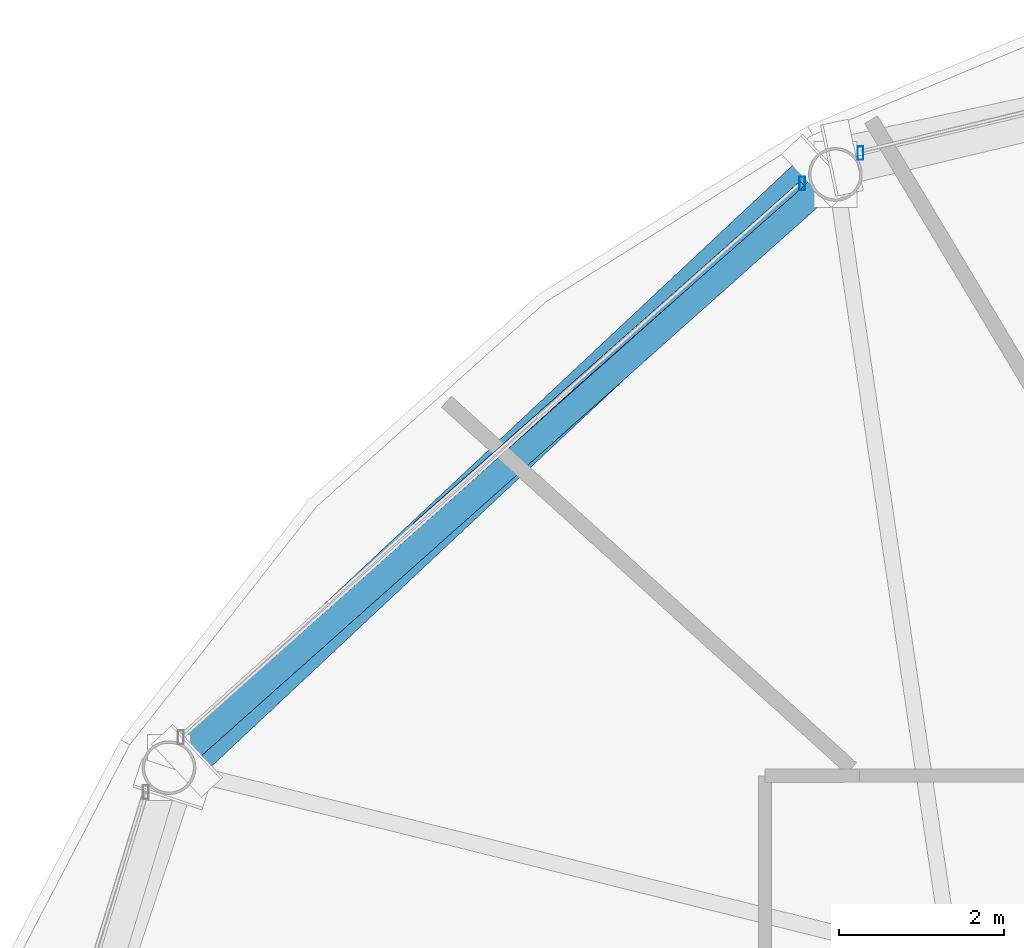
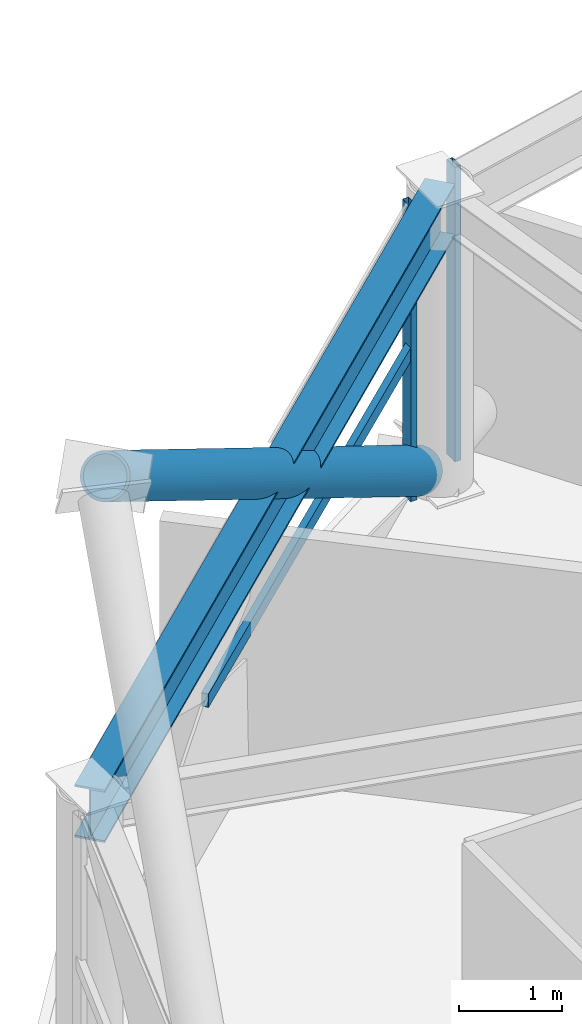
# One storey, part 16 of 29: 4 members, 1 beam, 2 elements without a shape of their own.
"""IFC4 building model written with IfcOpenShell, lengths in metres."""

from ifc_helpers import new_model, si_unit, direction, frame, origin, origin_2d, place, context, subcontext, project, spatial, hollow_rectangle, hollow_circle, i_section, extrude, material, layer, layer_set, material_profile, profile_set, type_object, element, aggregate, save


model = new_model("IFC4")

# Units and contexts
model_context = context("Model", 3, precision=1e-05, world=origin(), true_north=direction((0.0, 1.0)))
body_context = subcontext(model_context, "Body", "Model", "MODEL_VIEW")
ifc_project = project(units=[si_unit("LENGTHUNIT", "METRE"), si_unit("AREAUNIT", "SQUARE_METRE"), si_unit("VOLUMEUNIT", "CUBIC_METRE"), si_unit("PLANEANGLEUNIT", "RADIAN"), si_unit("MASSUNIT", "GRAM", prefix="KILO")], contexts=[model_context])

# Site, building, storey
site_placement = place(None, origin())
site = spatial("IfcSite", under=ifc_project, at=site_placement, CompositionType="ELEMENT")
building_placement = place(site_placement, origin())
building = spatial("IfcBuilding", under=site, at=building_placement, Name="Vantalir Tower", CompositionType="ELEMENT")
storey_placement = place(building_placement, frame((0.0, 0.0, 227.39990234375)))
storey = spatial("IfcBuildingStorey", under=building, at=storey_placement, Name="L57", CompositionType="ELEMENT", Elevation=227.39990234375)

# Beam
ifc_material_1 = material(Name="Steel S460", Category="steel")
ifc_material_profile_1 = material_profile(ifc_material_1, i_section(OverallWidth=0.306884765625, OverallDepth=0.6201171875, WebThickness=0.01416015625, FlangeThickness=0.023681640625, at=origin_2d()), Name="Steel S460")
ifc_profile_set_1 = profile_set([ifc_material_profile_1], Name="Steel S460")
beam_type = type_object("IfcBeamType", Name="BM-RG-610x305", PredefinedType="USERDEFINED", material=ifc_profile_set_1)
beam_placement = place(storey_placement, frame((20.493896484375, 41.970947265625, 3.260009765625), z_axis=(-0.746934658409, -0.664897447782, 0.0), x_axis=(0.664897447782, -0.746934658409, 0.0)))
element("IfcBeam", 1, at=beam_placement, inside=storey, type_object=beam_type, Name="L57 Circumferential Ring Girder 05", ObjectType="GIRDER", PredefinedType="USERDEFINED", context=body_context, shape_type="SweptSolid", body=[
    extrude(i_section(OverallWidth=0.306884765625, OverallDepth=0.6201171875, WebThickness=0.01416015625, FlangeThickness=0.023681640625, at=origin_2d()), origin(), (0.0, 0.0, 1.0), 10.787841796875),
])

# Curtain wall, member
ifc_material_2 = material(Name="Champagne-silver PVDF aluminium and double-silver Low-E glass", Category="aluminium")
ifc_layer = layer(ifc_material_2, 0.2099609375)
ifc_layer_set = layer_set([ifc_layer], Name="Champagne-silver PVDF aluminium and double-silver Low-E glass")
curtain_wall_type = type_object("IfcCurtainWallType", Name="CW-DIAMOND-Z3", PredefinedType="USERDEFINED", material=ifc_layer_set)
curtain_wall_1_placement = place(storey_placement, origin())
curtain_wall_1 = element("IfcCurtainWall", 2, at=curtain_wall_1_placement, inside=storey, type_object=curtain_wall_type, Name="L57 Quilted Pyramid-Diamond Curtain Wall S04", ObjectType="UNITISED CURTAIN WALL", PredefinedType="USERDEFINED")
ifc_material_3 = material(Name="Champagne-silver PVDF aluminium 6063-T6", Category="aluminium")
ifc_material_profile_2 = material_profile(ifc_material_3, hollow_rectangle(XDim=0.070068359375, YDim=0.1650390625, WallThickness=0.00390625, at=origin_2d()), Name="Champagne-silver PVDF aluminium 6063-T6")
ifc_profile_set_2 = profile_set([ifc_material_profile_2], Name="Champagne-silver PVDF aluminium 6063-T6")
member_type_1 = type_object("IfcMemberType", Name="CWM-165x70", PredefinedType="MULLION", material=ifc_profile_set_2)
member_1_placement = place(storey_placement, frame((20.798095703125, 42.22998046875, 0.045166015625), z_axis=(0.0, 0.0, 1.0), x_axis=(1.0, 0.0, 0.0)))
member_1 = element("IfcMember", 3, at=member_1_placement, type_object=member_type_1, Name="CW-L57-S04 Mullion 2", PredefinedType="MULLION", context=body_context, shape_type="SweptSolid", body=[
    extrude(hollow_rectangle(XDim=0.070068359375, YDim=0.1650390625, WallThickness=0.00390625, at=origin_2d()), origin(), (0.0, 0.0, 1.0), 3.47998046875),
])
aggregate(curtain_wall_1, [member_1])

# Curtain wall, members
curtain_wall_2_placement = place(storey_placement, origin())
curtain_wall_2 = element("IfcCurtainWall", 4, at=curtain_wall_2_placement, inside=storey, type_object=curtain_wall_type, Name="L57 Quilted Pyramid-Diamond Curtain Wall S05", ObjectType="UNITISED CURTAIN WALL", PredefinedType="USERDEFINED")
member_2_placement = place(storey_placement, frame((20.093017578125, 41.862060546875, 0.045166015625), z_axis=(0.0, 0.0, 1.0), x_axis=(1.0, 0.0, 0.0)))
member_2 = element("IfcMember", 5, at=member_2_placement, type_object=member_type_1, Name="CW-L57-S05 Mullion 1", PredefinedType="MULLION", context=body_context, shape_type="SweptSolid", body=[
    extrude(hollow_rectangle(XDim=0.070068359375, YDim=0.1650390625, WallThickness=0.00390625, at=origin_2d()), origin(), (0.0, 0.0, 1.0), 3.47998046875),
])
ifc_material_profile_3 = material_profile(ifc_material_3, hollow_rectangle(XDim=0.074951171875, YDim=0.159912109375, WallThickness=0.00390625, at=origin_2d()), Name="Champagne-silver PVDF aluminium 6063-T6")
ifc_profile_set_3 = profile_set([ifc_material_profile_3], Name="Champagne-silver PVDF aluminium 6063-T6")
member_type_2 = type_object("IfcMemberType", Name="CWT-160x75", PredefinedType="USERDEFINED", material=ifc_profile_set_3)
member_3_placement = place(storey_placement, frame((20.093017578125, 41.862060546875, 1.78515625), z_axis=(-0.74909579977, -0.662461683999, 0.0), x_axis=(0.662461683999, -0.74909579977, 0.0)))
member_3 = element("IfcMember", 6, at=member_3_placement, type_object=member_type_2, Name="CW-L57-S05 Pyramid Fold Ridge Transom", ObjectType="TRANSOM", PredefinedType="USERDEFINED", context=body_context, shape_type="SweptSolid", body=[
    extrude(hollow_rectangle(XDim=0.074951171875, YDim=0.159912109375, WallThickness=0.00390625, at=origin_2d()), origin(), (0.0, 0.0, 1.0), 6.244873046875),
])
aggregate(curtain_wall_2, [member_2, member_3])

# Member
ifc_material_profile_4 = material_profile(ifc_material_1, hollow_circle(Radius=0.25, WallThickness=0.031982421875, at=origin_2d()), Name="Steel S460")
ifc_profile_set_4 = profile_set([ifc_material_profile_4], Name="Steel S460")
member_type_3 = type_object("IfcMemberType", Name="MEM-DB-500x32", PredefinedType="BRACE", material=ifc_profile_set_4)
member_4_placement = place(storey_placement, frame((20.264892578125, 42.010009765625, 0.2021484375), z_axis=(-0.60802103071, -0.569641484496, 0.55300904636), x_axis=(0.683699480451, -0.729763674371, 0.0)))
element("IfcMember", 7, at=member_4_placement, inside=storey, type_object=member_type_3, Name="L57 Perimeter S460 Diagrid Brace R13L", PredefinedType="BRACE", context=body_context, shape_type="SweptSolid", body=[
    extrude(hollow_circle(Radius=0.25, WallThickness=0.031982421875, at=origin_2d()), origin(), (0.0, 0.0, 1.0), 12.506103515625),
])

save(model, "model.ifc")
